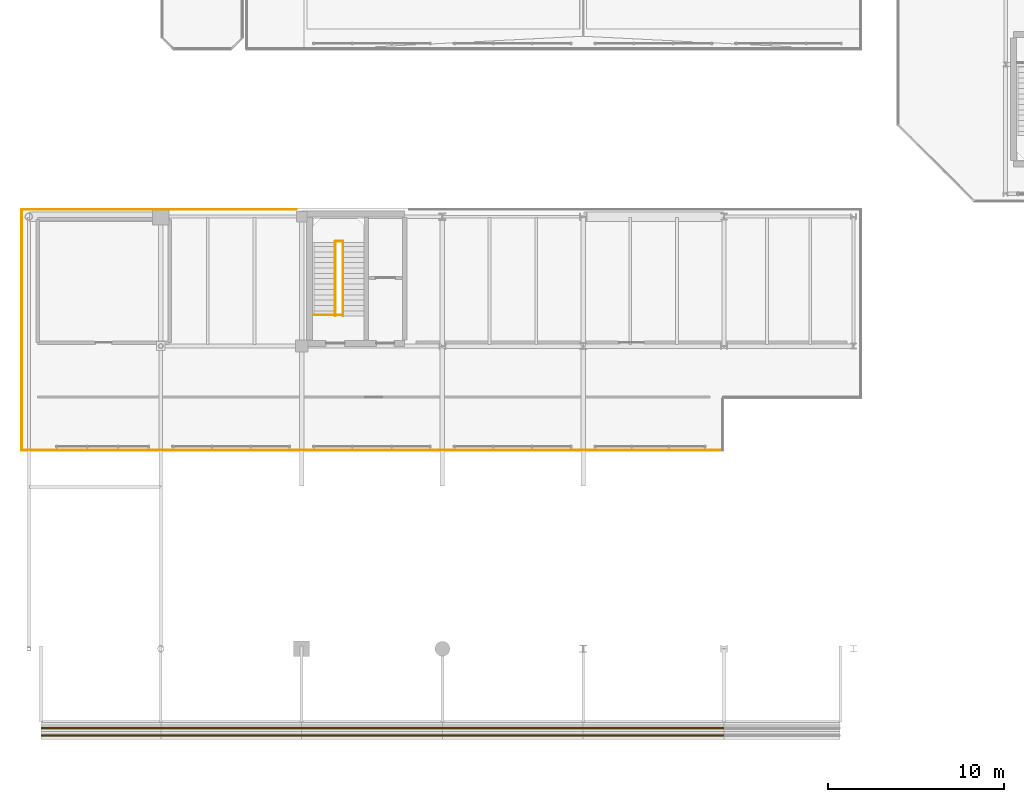
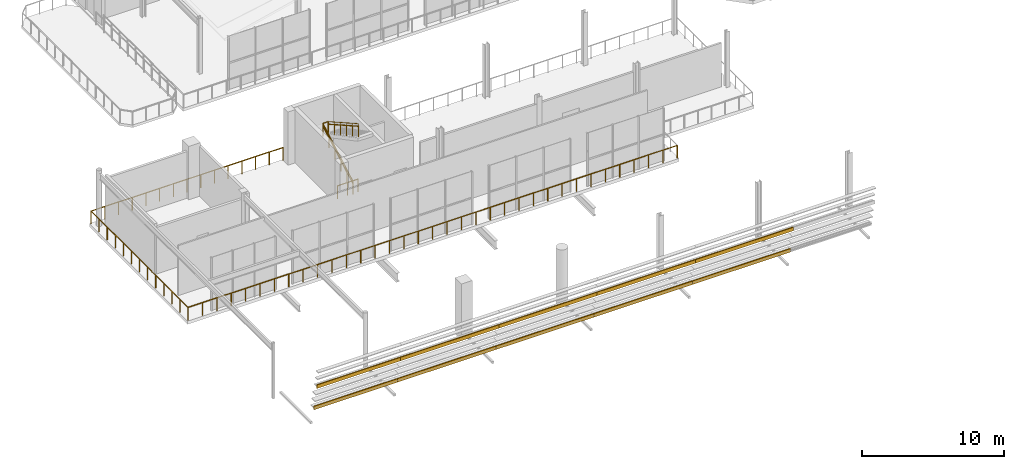
# One storey, part 59 of 70: 10 coverings, 9 railings.
"""IFC4 building model written with IfcOpenShell, lengths in metres."""

from ifc_helpers import new_model, si_unit, direction, frame, origin, origin_2d, place, context, subcontext, project, spatial, rectangle, circle, extrude, material, layer, layer_set, type_object, element, save


model = new_model("IFC4")

# Units and contexts
model_context = context("Model", 3, precision=1e-05, world=origin(), true_north=direction((0.0, 1.0)))
body_context = subcontext(model_context, "Body", "Model", "MODEL_VIEW")
ifc_project = project(units=[si_unit("LENGTHUNIT", "METRE"), si_unit("AREAUNIT", "SQUARE_METRE"), si_unit("VOLUMEUNIT", "CUBIC_METRE"), si_unit("PLANEANGLEUNIT", "RADIAN"), si_unit("MASSUNIT", "GRAM", prefix="KILO")], contexts=[model_context])

# Site, building, storey
site_placement = place(None, origin())
site = spatial("IfcSite", under=ifc_project, at=site_placement, CompositionType="ELEMENT")
building_placement = place(site_placement, origin())
building = spatial("IfcBuilding", under=site, at=building_placement, Name="Brisemont Oceanarium", CompositionType="ELEMENT")
storey_placement = place(building_placement, frame((0.0, 0.0, 10.199951171875)))
storey = spatial("IfcBuildingStorey", under=building, at=storey_placement, Name="L02", CompositionType="ELEMENT", Elevation=10.199951171875)

# Coverings
ifc_material_1 = material(Name="Architectural Bronze-Anodized Cedar Composite")
ifc_layer = layer(ifc_material_1, 0.044921875)
ifc_layer_set = layer_set([ifc_layer], Name="Architectural Bronze-Anodized Cedar Composite")
covering_type = type_object("IfcCoveringType", Name="COV-CLAD-CEDAR", PredefinedType="CLADDING", material=ifc_layer_set)
covering_1_placement = place(storey_placement, frame((12.60009765625, 2.3046875, 1.47998046875), z_axis=(0.0, 0.0, 1.0), x_axis=(1.0, 0.0, 0.0)))
element("IfcCovering", 1, at=covering_1_placement, inside=storey, type_object=covering_type, Name="V2 stepped spandrel cladding course 4.1", PredefinedType="CLADDING", context=body_context, shape_type="SweptSolid", body=[
    extrude(rectangle(XDim=6.800048828125, YDim=0.080078125, at=origin_2d()), origin(), (0.0, 0.0, 1.0), 0.300048828125),
])
for number, where, z_axis, x_axis, name in (
    (2, (20.0, 2.3046875, 1.47998046875), (0.0, 0.0, 1.0), (1.0, 0.0, 0.0), "V2 stepped spandrel cladding course 4.2"),
    (3, (28.0, 2.3046875, 1.47998046875), (0.0, 0.0, 1.0), (1.0, 0.0, 0.0), "V2 stepped spandrel cladding course 4.3"),
    (4, (36.0, 2.3046875, 1.47998046875), (0.0, 0.0, 1.0), (1.0, 0.0, 0.0), "V2 stepped spandrel cladding course 4.4"),
    (5, (44.0, 2.3046875, 1.47998046875), (0.0, 0.0, 1.0), (1.0, 0.0, 0.0), "V2 stepped spandrel cladding course 4.5"),
):
    element("IfcCovering", number, at=place(storey_placement, frame(where, z_axis=z_axis, x_axis=x_axis)), inside=storey, type_object=covering_type, Name=name, PredefinedType="CLADDING", context=body_context, shape_type="SweptSolid", body=[
        extrude(rectangle(XDim=8.0, YDim=0.080078125, at=origin_2d()), origin(), (0.0, 0.0, 1.0), 0.300048828125),
    ])
covering_2_placement = place(storey_placement, frame((12.60009765625, 1.87744140625, 3.580078125), z_axis=(0.0, 0.0, 1.0), x_axis=(1.0, 0.0, 0.0)))
element("IfcCovering", 6, at=covering_2_placement, inside=storey, type_object=covering_type, Name="V2 stepped spandrel cladding course 5.1", PredefinedType="CLADDING", context=body_context, shape_type="SweptSolid", body=[
    extrude(rectangle(XDim=6.800048828125, YDim=0.080078125, at=origin_2d()), origin(), (0.0, 0.0, 1.0), 0.300048828125),
])
for number, where, z_axis, x_axis, name in (
    (7, (20.0, 1.87744140625, 3.580078125), (0.0, 0.0, 1.0), (1.0, 0.0, 0.0), "V2 stepped spandrel cladding course 5.2"),
    (8, (28.0, 1.87744140625, 3.580078125), (0.0, 0.0, 1.0), (1.0, 0.0, 0.0), "V2 stepped spandrel cladding course 5.3"),
    (9, (36.0, 1.87744140625, 3.580078125), (0.0, 0.0, 1.0), (1.0, 0.0, 0.0), "V2 stepped spandrel cladding course 5.4"),
    (10, (44.0, 1.87744140625, 3.580078125), (0.0, 0.0, 1.0), (1.0, 0.0, 0.0), "V2 stepped spandrel cladding course 5.5"),
):
    element("IfcCovering", number, at=place(storey_placement, frame(where, z_axis=z_axis, x_axis=x_axis)), inside=storey, type_object=covering_type, Name=name, PredefinedType="CLADDING", context=body_context, shape_type="SweptSolid", body=[
        extrude(rectangle(XDim=8.0, YDim=0.080078125, at=origin_2d()), origin(), (0.0, 0.0, 1.0), 0.300048828125),
    ])

# Railings
ifc_material_2 = material(Name="Duplex Stainless Steel EN 1.4462", Category="steel")
railing_type_1 = type_object("IfcRailingType", Name="RLG-GUARD-1120", PredefinedType="GUARDRAIL", material=ifc_material_2)
railing_1_placement = place(storey_placement, frame((24.669921875, 25.760009765625, 0.0)))
element("IfcRailing", 11, at=railing_1_placement, inside=storey, type_object=railing_type_1, Name="ST-03 L02 landing edge guard", PredefinedType="GUARDRAIL", context=body_context, shape_type="SweptSolid", body=[
    extrude(circle(Radius=0.02392578125, at=origin_2d()), frame((0.0, 0.0, 1.09619140625), z_axis=(1.0, 0.0, 0.0), x_axis=(0.0, 1.0, 0.0)), (0.0, 0.0, 1.0), 1.68017578125),
    extrude(circle(Radius=0.02099609375, at=origin_2d()), origin(), (0.0, 0.0, 1.0), 1.072021484375),
    extrude(circle(Radius=0.02099609375, at=origin_2d()), frame((0.840087890625, 0.0, 0.0)), (0.0, 0.0, 1.0), 1.072021484375),
    extrude(circle(Radius=0.02099609375, at=origin_2d()), frame((1.68017578125, 0.0, 0.0)), (0.0, 0.0, 1.0), 1.072021484375),
])
railing_2_placement = place(storey_placement, frame((25.909912109375, 25.699951171875, 0.0)))
element("IfcRailing", 12, at=railing_2_placement, inside=storey, type_object=railing_type_1, Name="ST-03 L02 F1 well guard", PredefinedType="GUARDRAIL", context=body_context, shape_type="SweptSolid", body=[
    extrude(circle(Radius=0.02392578125, at=origin_2d()), frame((0.0, 0.0, 1.09619140625), z_axis=(0.0, 0.870740716755, 0.491742416499), x_axis=(-1.0, 0.0, 0.0)), (0.0, 0.0, 1.0), 4.880859375),
    extrude(circle(Radius=0.02099609375, at=origin_2d()), origin(), (0.0, 0.0, 1.0), 1.072021484375),
    extrude(circle(Radius=0.02099609375, at=origin_2d()), frame((0.0, 0.85009765625, 0.47998046875)), (0.0, 0.0, 1.0), 1.072021484375),
    extrude(circle(Radius=0.02099609375, at=origin_2d()), frame((0.0, 1.699951171875, 0.9599609375)), (0.0, 0.0, 1.0), 1.072021484375),
    extrude(circle(Radius=0.02099609375, at=origin_2d()), frame((0.0, 2.550048828125, 1.440185546875)), (0.0, 0.0, 1.0), 1.072021484375),
    extrude(circle(Radius=0.02099609375, at=origin_2d()), frame((0.0, 3.39990234375, 1.920166015625)), (0.0, 0.0, 1.0), 1.072021484375),
    extrude(circle(Radius=0.02099609375, at=origin_2d()), frame((0.0, 4.25, 2.400146484375)), (0.0, 0.0, 1.0), 1.072021484375),
])
railing_3_placement = place(storey_placement, frame((26.35009765625, 29.949951171875, 2.400146484375)))
element("IfcRailing", 13, at=railing_3_placement, inside=storey, type_object=railing_type_1, Name="ST-03 L02 F2 well guard", PredefinedType="GUARDRAIL", context=body_context, shape_type="SweptSolid", body=[
    extrude(circle(Radius=0.02392578125, at=origin_2d()), frame((0.0, 0.0, 1.09619140625), z_axis=(0.0, -0.870762133844, 0.491704490791), x_axis=(1.0, 0.0, 0.0)), (0.0, 0.0, 1.0), 4.880859375),
    extrude(circle(Radius=0.02099609375, at=origin_2d()), origin(), (0.0, 0.0, 1.0), 1.072021484375),
    extrude(circle(Radius=0.02099609375, at=origin_2d()), frame((0.0, -0.85009765625, 0.47998046875)), (0.0, 0.0, 1.0), 1.072021484375),
    extrude(circle(Radius=0.02099609375, at=origin_2d()), frame((0.0, -1.699951171875, 0.9599609375)), (0.0, 0.0, 1.0), 1.072021484375),
    extrude(circle(Radius=0.02099609375, at=origin_2d()), frame((0.0, -2.550048828125, 1.43994140625)), (0.0, 0.0, 1.0), 1.072021484375),
    extrude(circle(Radius=0.02099609375, at=origin_2d()), frame((0.0, -3.39990234375, 1.919921875)), (0.0, 0.0, 1.0), 1.072021484375),
    extrude(circle(Radius=0.02099609375, at=origin_2d()), frame((0.0, -4.25, 2.39990234375)), (0.0, 0.0, 1.0), 1.072021484375),
])
railing_4_placement = place(storey_placement, frame((25.909912109375, 29.949951171875, 2.400146484375)))
element("IfcRailing", 14, at=railing_4_placement, inside=storey, type_object=railing_type_1, Name="ST-03 L02 landing slot guard", PredefinedType="GUARDRAIL", context=body_context, shape_type="SweptSolid", body=[
    extrude(circle(Radius=0.02392578125, at=origin_2d()), frame((0.0, 0.0, 1.09619140625), z_axis=(1.0, 0.0, 0.0), x_axis=(0.0, 1.0, 0.0)), (0.0, 0.0, 1.0), 0.440185546875),
    extrude(circle(Radius=0.02099609375, at=origin_2d()), origin(), (0.0, 0.0, 1.0), 1.072021484375),
    extrude(circle(Radius=0.02099609375, at=origin_2d()), frame((0.440185546875, 0.0, 0.0)), (0.0, 0.0, 1.0), 1.072021484375),
])
railing_5_placement = place(storey_placement, frame((8.090087890625, 18.090087890625, 0.0)))
element("IfcRailing", 15, at=railing_5_placement, inside=storey, type_object=railing_type_1, Name="L02 slab perimeter safety guard 169", PredefinedType="GUARDRAIL", context=body_context, shape_type="SweptSolid", body=[
    extrude(circle(Radius=0.02392578125, at=origin_2d()), frame((0.0, 0.0, 1.09619140625), z_axis=(0.0, 1.0, 0.0), x_axis=(-1.0, 0.0, 0.0)), (0.0, 0.0, 1.0), 13.66943359375),
    extrude(circle(Radius=0.02099609375, at=origin_2d()), origin(), (0.0, 0.0, 1.0), 1.072021484375),
    extrude(circle(Radius=0.02099609375, at=origin_2d()), frame((0.0, 1.13916015625, 0.0)), (0.0, 0.0, 1.0), 1.072021484375),
    extrude(circle(Radius=0.02099609375, at=origin_2d()), frame((0.0, 2.2783203125, 0.0)), (0.0, 0.0, 1.0), 1.072021484375),
    extrude(circle(Radius=0.02099609375, at=origin_2d()), frame((0.0, 3.41748046875, 0.0)), (0.0, 0.0, 1.0), 1.072021484375),
    extrude(circle(Radius=0.02099609375, at=origin_2d()), frame((0.0, 4.556396484375, 0.0)), (0.0, 0.0, 1.0), 1.072021484375),
    extrude(circle(Radius=0.02099609375, at=origin_2d()), frame((0.0, 5.695556640625, 0.0)), (0.0, 0.0, 1.0), 1.072021484375),
    extrude(circle(Radius=0.02099609375, at=origin_2d()), frame((0.0, 6.834716796875, 0.0)), (0.0, 0.0, 1.0), 1.072021484375),
    extrude(circle(Radius=0.02099609375, at=origin_2d()), frame((0.0, 7.973876953125, 0.0)), (0.0, 0.0, 1.0), 1.072021484375),
    extrude(circle(Radius=0.02099609375, at=origin_2d()), frame((0.0, 9.113037109375, 0.0)), (0.0, 0.0, 1.0), 1.072021484375),
    extrude(circle(Radius=0.02099609375, at=origin_2d()), frame((0.0, 10.251953125, 0.0)), (0.0, 0.0, 1.0), 1.072021484375),
    extrude(circle(Radius=0.02099609375, at=origin_2d()), frame((0.0, 11.39111328125, 0.0)), (0.0, 0.0, 1.0), 1.072021484375),
    extrude(circle(Radius=0.02099609375, at=origin_2d()), frame((0.0, 12.5302734375, 0.0)), (0.0, 0.0, 1.0), 1.072021484375),
    extrude(circle(Radius=0.02099609375, at=origin_2d()), frame((0.0, 13.66943359375, 0.0)), (0.0, 0.0, 1.0), 1.072021484375),
])
railing_6_placement = place(storey_placement, frame((8.090087890625, 31.759521484375, 0.0)))
element("IfcRailing", 16, at=railing_6_placement, inside=storey, type_object=railing_type_1, Name="L02 slab perimeter safety guard 170", PredefinedType="GUARDRAIL", context=body_context, shape_type="SweptSolid", body=[
    extrude(circle(Radius=0.02392578125, at=origin_2d()), frame((0.0, 0.0, 1.09619140625), z_axis=(0.999999999878, 1.5637217e-05, 0.0), x_axis=(-1.5637217e-05, 0.999999999878, 0.0)), (0.0, 0.0, 1.0), 15.61279296875),
    extrude(circle(Radius=0.02099609375, at=origin_2d()), origin(), (0.0, 0.0, 1.0), 1.072021484375),
    extrude(circle(Radius=0.02099609375, at=origin_2d()), frame((1.115234375, 0.0, 0.0)), (0.0, 0.0, 1.0), 1.072021484375),
    extrude(circle(Radius=0.02099609375, at=origin_2d()), frame((2.23046875, 0.0, 0.0)), (0.0, 0.0, 1.0), 1.072021484375),
    extrude(circle(Radius=0.02099609375, at=origin_2d()), frame((3.345703125, 0.0, 0.0)), (0.0, 0.0, 1.0), 1.072021484375),
    extrude(circle(Radius=0.02099609375, at=origin_2d()), frame((4.460693359375, 0.0, 0.0)), (0.0, 0.0, 1.0), 1.072021484375),
    extrude(circle(Radius=0.02099609375, at=origin_2d()), frame((5.575927734375, 0.0, 0.0)), (0.0, 0.0, 1.0), 1.072021484375),
    extrude(circle(Radius=0.02099609375, at=origin_2d()), frame((6.691162109375, 0.0, 0.0)), (0.0, 0.0, 1.0), 1.072021484375),
    extrude(circle(Radius=0.02099609375, at=origin_2d()), frame((7.806396484375, 0.0, 0.0)), (0.0, 0.0, 1.0), 1.072021484375),
    extrude(circle(Radius=0.02099609375, at=origin_2d()), frame((8.921630859375, 0.000244140625, 0.0)), (0.0, 0.0, 1.0), 1.072021484375),
    extrude(circle(Radius=0.02099609375, at=origin_2d()), frame((10.036865234375, 0.000244140625, 0.0)), (0.0, 0.0, 1.0), 1.072021484375),
    extrude(circle(Radius=0.02099609375, at=origin_2d()), frame((11.152099609375, 0.000244140625, 0.0)), (0.0, 0.0, 1.0), 1.072021484375),
    extrude(circle(Radius=0.02099609375, at=origin_2d()), frame((12.26708984375, 0.000244140625, 0.0)), (0.0, 0.0, 1.0), 1.072021484375),
    extrude(circle(Radius=0.02099609375, at=origin_2d()), frame((13.38232421875, 0.000244140625, 0.0)), (0.0, 0.0, 1.0), 1.072021484375),
    extrude(circle(Radius=0.02099609375, at=origin_2d()), frame((14.49755859375, 0.000244140625, 0.0)), (0.0, 0.0, 1.0), 1.072021484375),
    extrude(circle(Radius=0.02099609375, at=origin_2d()), frame((15.61279296875, 0.000244140625, 0.0)), (0.0, 0.0, 1.0), 1.072021484375),
])
railing_7_placement = place(storey_placement, frame((47.909912109375, 18.090576171875, 0.0)))
element("IfcRailing", 17, at=railing_7_placement, inside=storey, type_object=railing_type_1, Name="L02 slab perimeter safety guard 175", PredefinedType="GUARDRAIL", context=body_context, shape_type="SweptSolid", body=[
    extrude(circle(Radius=0.02392578125, at=origin_2d()), frame((0.0, 0.0, 1.09619140625), z_axis=(-0.999999999925, -1.2262265e-05, 0.0), x_axis=(1.2262265e-05, -0.999999999925, 0.0)), (0.0, 0.0, 1.0), 39.81982421875),
    extrude(circle(Radius=0.02099609375, at=origin_2d()), origin(), (0.0, 0.0, 1.0), 1.072021484375),
    extrude(circle(Radius=0.02099609375, at=origin_2d()), frame((-1.171142578125, 0.0, 0.0)), (0.0, 0.0, 1.0), 1.072021484375),
    extrude(circle(Radius=0.02099609375, at=origin_2d()), frame((-2.34228515625, 0.0, 0.0)), (0.0, 0.0, 1.0), 1.072021484375),
    extrude(circle(Radius=0.02099609375, at=origin_2d()), frame((-3.513427734375, 0.0, 0.0)), (0.0, 0.0, 1.0), 1.072021484375),
    extrude(circle(Radius=0.02099609375, at=origin_2d()), frame((-4.6845703125, 0.0, 0.0)), (0.0, 0.0, 1.0), 1.072021484375),
    extrude(circle(Radius=0.02099609375, at=origin_2d()), frame((-5.85595703125, 0.0, 0.0)), (0.0, 0.0, 1.0), 1.072021484375),
    extrude(circle(Radius=0.02099609375, at=origin_2d()), frame((-7.027099609375, 0.0, 0.0)), (0.0, 0.0, 1.0), 1.072021484375),
    extrude(circle(Radius=0.02099609375, at=origin_2d()), frame((-8.1982421875, 0.0, 0.0)), (0.0, 0.0, 1.0), 1.072021484375),
    extrude(circle(Radius=0.02099609375, at=origin_2d()), frame((-9.369384765625, 0.0, 0.0)), (0.0, 0.0, 1.0), 1.072021484375),
    extrude(circle(Radius=0.02099609375, at=origin_2d()), frame((-10.54052734375, -0.000244140625, 0.0)), (0.0, 0.0, 1.0), 1.072021484375),
    extrude(circle(Radius=0.02099609375, at=origin_2d()), frame((-11.711669921875, -0.000244140625, 0.0)), (0.0, 0.0, 1.0), 1.072021484375),
    extrude(circle(Radius=0.02099609375, at=origin_2d()), frame((-12.8828125, -0.000244140625, 0.0)), (0.0, 0.0, 1.0), 1.072021484375),
    extrude(circle(Radius=0.02099609375, at=origin_2d()), frame((-14.053955078125, -0.000244140625, 0.0)), (0.0, 0.0, 1.0), 1.072021484375),
    extrude(circle(Radius=0.02099609375, at=origin_2d()), frame((-15.225341796875, -0.000244140625, 0.0)), (0.0, 0.0, 1.0), 1.072021484375),
    extrude(circle(Radius=0.02099609375, at=origin_2d()), frame((-16.396484375, -0.000244140625, 0.0)), (0.0, 0.0, 1.0), 1.072021484375),
    extrude(circle(Radius=0.02099609375, at=origin_2d()), frame((-17.567626953125, -0.000244140625, 0.0)), (0.0, 0.0, 1.0), 1.072021484375),
    extrude(circle(Radius=0.02099609375, at=origin_2d()), frame((-18.73876953125, -0.000244140625, 0.0)), (0.0, 0.0, 1.0), 1.072021484375),
    extrude(circle(Radius=0.02099609375, at=origin_2d()), frame((-19.909912109375, -0.000244140625, 0.0)), (0.0, 0.0, 1.0), 1.072021484375),
    extrude(circle(Radius=0.02099609375, at=origin_2d()), frame((-21.0810546875, -0.000244140625, 0.0)), (0.0, 0.0, 1.0), 1.072021484375),
    extrude(circle(Radius=0.02099609375, at=origin_2d()), frame((-22.252197265625, -0.000244140625, 0.0)), (0.0, 0.0, 1.0), 1.072021484375),
    extrude(circle(Radius=0.02099609375, at=origin_2d()), frame((-23.42333984375, -0.000244140625, 0.0)), (0.0, 0.0, 1.0), 1.072021484375),
    extrude(circle(Radius=0.02099609375, at=origin_2d()), frame((-24.594482421875, -0.000244140625, 0.0)), (0.0, 0.0, 1.0), 1.072021484375),
    extrude(circle(Radius=0.02099609375, at=origin_2d()), frame((-25.765869140625, -0.000244140625, 0.0)), (0.0, 0.0, 1.0), 1.072021484375),
    extrude(circle(Radius=0.02099609375, at=origin_2d()), frame((-26.93701171875, -0.000244140625, 0.0)), (0.0, 0.0, 1.0), 1.072021484375),
    extrude(circle(Radius=0.02099609375, at=origin_2d()), frame((-28.108154296875, -0.000244140625, 0.0)), (0.0, 0.0, 1.0), 1.072021484375),
    extrude(circle(Radius=0.02099609375, at=origin_2d()), frame((-29.279296875, -0.000244140625, 0.0)), (0.0, 0.0, 1.0), 1.072021484375),
    extrude(circle(Radius=0.02099609375, at=origin_2d()), frame((-30.450439453125, -0.00048828125, 0.0)), (0.0, 0.0, 1.0), 1.072021484375),
    extrude(circle(Radius=0.02099609375, at=origin_2d()), frame((-31.62158203125, -0.00048828125, 0.0)), (0.0, 0.0, 1.0), 1.072021484375),
    extrude(circle(Radius=0.02099609375, at=origin_2d()), frame((-32.792724609375, -0.00048828125, 0.0)), (0.0, 0.0, 1.0), 1.072021484375),
    extrude(circle(Radius=0.02099609375, at=origin_2d()), frame((-33.9638671875, -0.00048828125, 0.0)), (0.0, 0.0, 1.0), 1.072021484375),
    extrude(circle(Radius=0.02099609375, at=origin_2d()), frame((-35.13525390625, -0.00048828125, 0.0)), (0.0, 0.0, 1.0), 1.072021484375),
    extrude(circle(Radius=0.02099609375, at=origin_2d()), frame((-36.306396484375, -0.00048828125, 0.0)), (0.0, 0.0, 1.0), 1.072021484375),
    extrude(circle(Radius=0.02099609375, at=origin_2d()), frame((-37.4775390625, -0.00048828125, 0.0)), (0.0, 0.0, 1.0), 1.072021484375),
    extrude(circle(Radius=0.02099609375, at=origin_2d()), frame((-38.648681640625, -0.00048828125, 0.0)), (0.0, 0.0, 1.0), 1.072021484375),
    extrude(circle(Radius=0.02099609375, at=origin_2d()), frame((-39.81982421875, -0.00048828125, 0.0)), (0.0, 0.0, 1.0), 1.072021484375),
])
ifc_material_3 = material(Name="Duplex Stainless Steel EN 1.4462", Category="steel")
railing_type_2 = type_object("IfcRailingType", Name="RLG-HAND-900", PredefinedType="HANDRAIL", material=ifc_material_3)
railing_8_placement = place(storey_placement, frame((25.909912109375, 25.699951171875, 0.0)))
element("IfcRailing", 18, at=railing_8_placement, inside=storey, type_object=railing_type_2, Name="ST-03 L02 F1 handrail", PredefinedType="HANDRAIL", context=body_context, shape_type="SweptSolid", body=[
    extrude(circle(Radius=0.02392578125, at=origin_2d()), frame((0.0, 0.0, 0.8759765625), z_axis=(0.0, 0.870740716755, 0.491742416499), x_axis=(-1.0, 0.0, 0.0)), (0.0, 0.0, 1.0), 4.880859375),
    extrude(circle(Radius=0.02099609375, at=origin_2d()), origin(), (0.0, 0.0, 1.0), 0.851806640625),
    extrude(circle(Radius=0.02099609375, at=origin_2d()), frame((0.0, 0.85009765625, 0.47998046875)), (0.0, 0.0, 1.0), 0.851806640625),
    extrude(circle(Radius=0.02099609375, at=origin_2d()), frame((0.0, 1.699951171875, 0.9599609375)), (0.0, 0.0, 1.0), 0.851806640625),
    extrude(circle(Radius=0.02099609375, at=origin_2d()), frame((0.0, 2.550048828125, 1.440185546875)), (0.0, 0.0, 1.0), 0.851806640625),
    extrude(circle(Radius=0.02099609375, at=origin_2d()), frame((0.0, 3.39990234375, 1.920166015625)), (0.0, 0.0, 1.0), 0.851806640625),
    extrude(circle(Radius=0.02099609375, at=origin_2d()), frame((0.0, 4.25, 2.400146484375)), (0.0, 0.0, 1.0), 0.851806640625),
])
railing_9_placement = place(storey_placement, frame((26.35009765625, 29.949951171875, 2.400146484375)))
element("IfcRailing", 19, at=railing_9_placement, inside=storey, type_object=railing_type_2, Name="ST-03 L02 F2 handrail", PredefinedType="HANDRAIL", context=body_context, shape_type="SweptSolid", body=[
    extrude(circle(Radius=0.02392578125, at=origin_2d()), frame((0.0, 0.0, 0.8759765625), z_axis=(0.0, -0.870762133844, 0.491704490791), x_axis=(1.0, 0.0, 0.0)), (0.0, 0.0, 1.0), 4.880859375),
    extrude(circle(Radius=0.02099609375, at=origin_2d()), origin(), (0.0, 0.0, 1.0), 0.851806640625),
    extrude(circle(Radius=0.02099609375, at=origin_2d()), frame((0.0, -0.85009765625, 0.47998046875)), (0.0, 0.0, 1.0), 0.851806640625),
    extrude(circle(Radius=0.02099609375, at=origin_2d()), frame((0.0, -1.699951171875, 0.9599609375)), (0.0, 0.0, 1.0), 0.851806640625),
    extrude(circle(Radius=0.02099609375, at=origin_2d()), frame((0.0, -2.550048828125, 1.43994140625)), (0.0, 0.0, 1.0), 0.851806640625),
    extrude(circle(Radius=0.02099609375, at=origin_2d()), frame((0.0, -3.39990234375, 1.919921875)), (0.0, 0.0, 1.0), 0.851806640625),
    extrude(circle(Radius=0.02099609375, at=origin_2d()), frame((0.0, -4.25, 2.39990234375)), (0.0, 0.0, 1.0), 0.851806640625),
])

save(model, "model.ifc")
